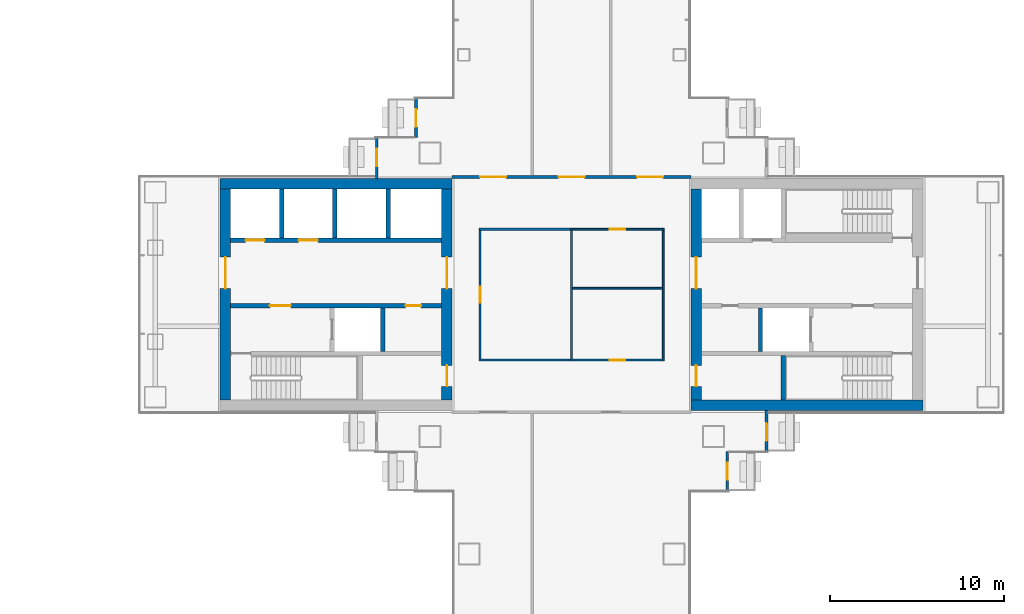
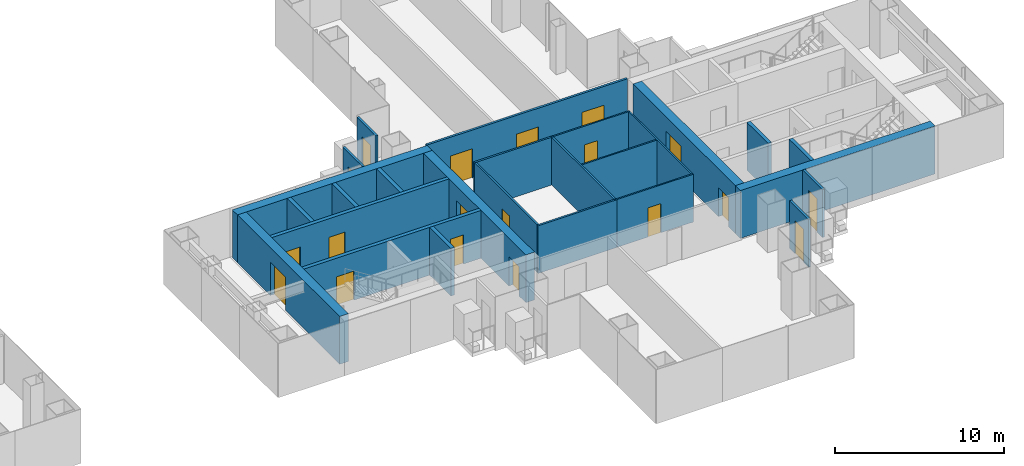
# One storey, part 15 of 20: 26 walls, 19 doors, 19 openings.
"""IFC4 building model written with IfcOpenShell, lengths in metres."""

from ifc_helpers import new_model, si_unit, direction, frame, frame_2d, origin, place, context, subcontext, project, spatial, rectangle, extrude, material, layer, layer_set, type_object, element, fill, save


model = new_model("IFC4")

# Units and contexts
model_context = context("Model", 3, precision=1e-05, world=origin(), true_north=direction((0.0, 1.0)))
body_context = subcontext(model_context, "Body", "Model", "MODEL_VIEW")
ifc_project = project(units=[si_unit("LENGTHUNIT", "METRE"), si_unit("AREAUNIT", "SQUARE_METRE"), si_unit("VOLUMEUNIT", "CUBIC_METRE"), si_unit("PLANEANGLEUNIT", "RADIAN"), si_unit("MASSUNIT", "GRAM", prefix="KILO")], contexts=[model_context])

# Site, building, storey
site_placement = place(None, origin())
site = spatial("IfcSite", under=ifc_project, at=site_placement, CompositionType="ELEMENT")
building_placement = place(site_placement, origin())
building = spatial("IfcBuilding", under=site, at=building_placement, Name="Shamsa Quay Exchange Towers", CompositionType="ELEMENT")
storey_placement = place(building_placement, frame((0.0, 0.0, 124.800048828125)))
storey = spatial("IfcBuildingStorey", under=building, at=storey_placement, Name="L29", CompositionType="ELEMENT", Elevation=124.800048828125)

# Wall, opening, door
ifc_material_1 = material(Name="Aluminium EN AW-6063 T6, black anodised, with black enamelled glass infill", Category="aluminium")
ifc_layer_1 = layer(ifc_material_1, 0.14990234375)
ifc_layer_set_1 = layer_set([ifc_layer_1], Name="BALCONY DOOR BAY WALL 150")
wall_type_1 = type_object("IfcWallType", Name="BALCONY DOOR BAY WALL 150", PredefinedType="SOLIDWALL", material=ifc_layer_set_1)
wall_1_placement = place(storey_placement, frame((24.824951171875, 9.0, 0.0), z_axis=(0.0, 0.0, 1.0), x_axis=(0.0, 1.0, 0.0)))
wall_1 = element("IfcWall", 1, at=wall_1_placement, inside=storey, type_object=wall_type_1, Name="Door bay T2-PKEN L29", PredefinedType="SOLIDWALL", context=body_context, shape_type="SweptSolid", body=[
    extrude(rectangle(XDim=2.25, YDim=0.14990234375, at=frame_2d((1.125, 0.0))), origin(), (0.0, 0.0, 1.0), 3.449951171875),
])
opening_1_placement = place(wall_1_placement, frame((0.625, 0.0, 0.0)))
opening_1 = element("IfcOpeningElement", 2, at=opening_1_placement, cuts=wall_1, Name="Opening XD193", PredefinedType="OPENING", context=body_context, shape_type="SweptSolid", body=[
    extrude(rectangle(XDim=1.0, YDim=2.39990234375, at=frame_2d((0.5, 1.199951171875))), frame((0.0, 0.0849609375, 0.0), z_axis=(0.0, -1.0, 0.0), x_axis=(1.0, 0.0, 0.0)), (0.0, 0.0, 1.0), 0.169921875),
])
ifc_material_2 = material(Name="Aluminium EN AW-6063 T6, black anodised, with laminated glass leaf", Category="aluminium")
door_type_1 = type_object("IfcDoorType", Name="BALCONY DOOR 1000x2400", OperationType="SINGLE_SWING_LEFT", PredefinedType="DOOR", material=ifc_material_2)
door_1_placement = place(opening_1_placement, origin())
door_1 = element("IfcDoor", 3, at=door_1_placement, inside=storey, type_object=door_type_1, Name="Balcony door T2-PKEN L29", OperationType="SINGLE_SWING_RIGHT", OverallHeight=2.39990234375, OverallWidth=1.0, PredefinedType="DOOR", context=body_context, shape_type="SweptSolid", body=[
    extrude(rectangle(XDim=1.0, YDim=2.39990234375, at=frame_2d((0.5, 1.199951171875))), frame((0.0, 0.02490234375, 0.0), z_axis=(0.0, -1.0, 0.0), x_axis=(1.0, 0.0, 0.0)), (0.0, 0.0, 1.0), 0.050048828125),
])
fill(opening_1, door_1)

wall_2_placement = place(storey_placement, frame((22.574951171875, 6.64306640625, 0.0), z_axis=(0.0, 0.0, 1.0), x_axis=(0.0, 1.0, 0.0)))
wall_2 = element("IfcWall", 4, at=wall_2_placement, inside=storey, type_object=wall_type_1, Name="Door bay T2-PKEN L29", PredefinedType="SOLIDWALL", context=body_context, shape_type="SweptSolid", body=[
    extrude(rectangle(XDim=2.35693359375, YDim=0.14990234375, at=frame_2d((1.178466796875, 0.0))), origin(), (0.0, 0.0, 1.0), 3.449951171875),
])
opening_2_placement = place(wall_2_placement, frame((0.73193359375, 0.0, 0.0)))
opening_2 = element("IfcOpeningElement", 5, at=opening_2_placement, cuts=wall_2, Name="Opening XD194", PredefinedType="OPENING", context=body_context, shape_type="SweptSolid", body=[
    extrude(rectangle(XDim=1.0, YDim=2.39990234375, at=frame_2d((0.5, 1.199951171875))), frame((0.0, 0.0849609375, 0.0), z_axis=(0.0, -1.0, 0.0), x_axis=(1.0, 0.0, 0.0)), (0.0, 0.0, 1.0), 0.169921875),
])
door_2_placement = place(opening_2_placement, origin())
door_2 = element("IfcDoor", 6, at=door_2_placement, inside=storey, type_object=door_type_1, Name="Balcony door T2-PKEN L29", OperationType="SINGLE_SWING_LEFT", OverallHeight=2.39990234375, OverallWidth=1.0, PredefinedType="DOOR", context=body_context, shape_type="SweptSolid", body=[
    extrude(rectangle(XDim=1.0, YDim=2.39990234375, at=frame_2d((0.5, 1.199951171875))), frame((0.0, 0.02490234375, 0.0), z_axis=(0.0, -1.0, 0.0), x_axis=(1.0, 0.0, 0.0)), (0.0, 0.0, 1.0), 0.050048828125),
])
fill(opening_2, door_2)

wall_3_placement = place(storey_placement, frame((42.675048828125, -9.0, 0.0), z_axis=(0.0, 0.0, 1.0), x_axis=(0.0, -1.0, 0.0)))
wall_3 = element("IfcWall", 7, at=wall_3_placement, inside=storey, type_object=wall_type_1, Name="Door bay T2-PKWS L29", PredefinedType="SOLIDWALL", context=body_context, shape_type="SweptSolid", body=[
    extrude(rectangle(XDim=2.25, YDim=0.14990234375, at=frame_2d((1.125, 0.0))), origin(), (0.0, 0.0, 1.0), 3.449951171875),
])
opening_3_placement = place(wall_3_placement, frame((0.625, 0.0, 0.0)))
opening_3 = element("IfcOpeningElement", 8, at=opening_3_placement, cuts=wall_3, Name="Opening XD199", PredefinedType="OPENING", context=body_context, shape_type="SweptSolid", body=[
    extrude(rectangle(XDim=1.0, YDim=2.39990234375, at=frame_2d((0.5, 1.199951171875))), frame((0.0, 0.0849609375, 0.0), z_axis=(0.0, -1.0, 0.0), x_axis=(1.0, 0.0, 0.0)), (0.0, 0.0, 1.0), 0.169921875),
])
door_3_placement = place(opening_3_placement, origin())
door_3 = element("IfcDoor", 9, at=door_3_placement, inside=storey, type_object=door_type_1, Name="Balcony door T2-PKWS L29", OperationType="SINGLE_SWING_LEFT", OverallHeight=2.39990234375, OverallWidth=1.0, PredefinedType="DOOR", context=body_context, shape_type="SweptSolid", body=[
    extrude(rectangle(XDim=1.0, YDim=2.39990234375, at=frame_2d((0.5, 1.199951171875))), frame((0.0, 0.02490234375, 0.0), z_axis=(0.0, -1.0, 0.0), x_axis=(1.0, 0.0, 0.0)), (0.0, 0.0, 1.0), 0.050048828125),
])
fill(opening_3, door_3)

wall_4_placement = place(storey_placement, frame((44.925048828125, -6.64306640625, 0.0), z_axis=(0.0, 0.0, 1.0), x_axis=(0.0, -1.0, 0.0)))
wall_4 = element("IfcWall", 10, at=wall_4_placement, inside=storey, type_object=wall_type_1, Name="Door bay T2-PKWS L29", PredefinedType="SOLIDWALL", context=body_context, shape_type="SweptSolid", body=[
    extrude(rectangle(XDim=2.35693359375, YDim=0.14990234375, at=frame_2d((1.178466796875, 0.0))), origin(), (0.0, 0.0, 1.0), 3.449951171875),
])
opening_4_placement = place(wall_4_placement, frame((0.73193359375, 0.0, 0.0)))
opening_4 = element("IfcOpeningElement", 11, at=opening_4_placement, cuts=wall_4, Name="Opening XD200", PredefinedType="OPENING", context=body_context, shape_type="SweptSolid", body=[
    extrude(rectangle(XDim=1.0, YDim=2.39990234375, at=frame_2d((0.5, 1.199951171875))), frame((0.0, 0.0849609375, 0.0), z_axis=(0.0, -1.0, 0.0), x_axis=(1.0, 0.0, 0.0)), (0.0, 0.0, 1.0), 0.169921875),
])
door_4_placement = place(opening_4_placement, origin())
door_4 = element("IfcDoor", 12, at=door_4_placement, inside=storey, type_object=door_type_1, Name="Balcony door T2-PKWS L29", OperationType="SINGLE_SWING_RIGHT", OverallHeight=2.39990234375, OverallWidth=1.0, PredefinedType="DOOR", context=body_context, shape_type="SweptSolid", body=[
    extrude(rectangle(XDim=1.0, YDim=2.39990234375, at=frame_2d((0.5, 1.199951171875))), frame((0.0, 0.02490234375, 0.0), z_axis=(0.0, -1.0, 0.0), x_axis=(1.0, 0.0, 0.0)), (0.0, 0.0, 1.0), 0.050048828125),
])
fill(opening_4, door_4)

# Wall
ifc_material_3 = material(Name="Concrete C70/85", Category="concrete")
ifc_layer_2 = layer(ifc_material_3, 0.60009765625)
ifc_layer_set_2 = layer_set([ifc_layer_2], Name="CORE WALL 600 C70/85")
wall_type_2 = type_object("IfcWallType", Name="CORE WALL 600 C70/85", PredefinedType="SHEAR", material=ifc_layer_set_2)
wall_5_placement = place(storey_placement, frame((13.60009765625, 6.35009765625, 0.0)))
element("IfcWall", 13, at=wall_5_placement, inside=storey, type_object=wall_type_2, Name="Core wall T2A-R13-PN", PredefinedType="SHEAR", context=body_context, shape_type="SweptSolid", body=[
    extrude(rectangle(XDim=13.2998046875, YDim=0.60009765625, at=frame_2d((6.64990234375, 0.0))), origin(), (0.0, 0.0, 1.0), 3.449951171875),
])

# Wall, opening, door
wall_6_placement = place(storey_placement, frame((13.89990234375, 6.050048828125, 0.0), z_axis=(0.0, 0.0, 1.0), x_axis=(0.0, -1.0, 0.0)))
wall_6 = element("IfcWall", 14, at=wall_6_placement, inside=storey, type_object=wall_type_2, Name="Core wall T2A-R13-PF", PredefinedType="SHEAR", context=body_context, shape_type="SweptSolid", body=[
    extrude(rectangle(XDim=12.10009765625, YDim=0.60009765625, at=frame_2d((6.050048828125, 0.0))), origin(), (0.0, 0.0, 1.0), 3.449951171875),
])
opening_5_placement = place(wall_6_placement, frame((3.89990234375, 0.0, 0.0)))
opening_5 = element("IfcOpeningElement", 15, at=opening_5_placement, cuts=wall_6, Name="Opening T2A-R13-LBD01", PredefinedType="OPENING", context=body_context, shape_type="SweptSolid", body=[
    extrude(rectangle(XDim=1.800048828125, YDim=2.39990234375, at=frame_2d((0.89990234375, 1.199951171875))), frame((0.0, 0.31005859375, 0.0), z_axis=(0.0, -1.0, 0.0), x_axis=(1.0, 0.0, 0.0)), (0.0, 0.0, 1.0), 0.6201171875),
])
ifc_material_4 = material(Name="Steel, fire rated", Category="steel")
door_type_2 = type_object("IfcDoorType", Name="LIFT LOBBY DOOR PAIR 1800", OperationType="DOUBLE_DOOR_SINGLE_SWING", PredefinedType="DOOR", material=ifc_material_4)
door_5_placement = place(opening_5_placement, origin())
door_5 = element("IfcDoor", 16, at=door_5_placement, inside=storey, type_object=door_type_2, Name="T2A-R13-LBD01", OperationType="DOUBLE_DOOR_SINGLE_SWING", OverallHeight=2.39990234375, OverallWidth=1.800048828125, PredefinedType="DOOR", context=body_context, shape_type="SweptSolid", body=[
    extrude(rectangle(XDim=1.800048828125, YDim=2.39990234375, at=frame_2d((0.89990234375, 1.199951171875))), frame((0.0, 0.02490234375, 0.0), z_axis=(0.0, -1.0, 0.0), x_axis=(1.0, 0.0, 0.0)), (0.0, 0.0, 1.0), 0.050048828125),
])
fill(opening_5, door_5)

# Wall, openings, doors
wall_7_placement = place(storey_placement, frame((26.60009765625, 6.050048828125, 0.0), z_axis=(0.0, 0.0, 1.0), x_axis=(0.0, -1.0, 0.0)))
wall_7 = element("IfcWall", 17, at=wall_7_placement, inside=storey, type_object=wall_type_2, Name="Core wall T2A-R13-PB", PredefinedType="SHEAR", context=body_context, shape_type="SweptSolid", body=[
    extrude(rectangle(XDim=12.10009765625, YDim=0.60009765625, at=frame_2d((6.050048828125, 0.0))), origin(), (0.0, 0.0, 1.0), 3.449951171875),
])
opening_6_placement = place(wall_7_placement, frame((10.10009765625, 0.0, 0.0)))
opening_6 = element("IfcOpeningElement", 18, at=opening_6_placement, cuts=wall_7, Name="Opening T2A-R13-RD02", PredefinedType="OPENING", context=body_context, shape_type="SweptSolid", body=[
    extrude(rectangle(XDim=1.199951171875, YDim=2.10009765625, at=frame_2d((0.60009765625, 1.050048828125))), frame((0.0, 0.31005859375, 0.0), z_axis=(0.0, -1.0, 0.0), x_axis=(1.0, 0.0, 0.0)), (0.0, 0.0, 1.0), 0.6201171875),
])
opening_7_placement = place(wall_7_placement, frame((3.89990234375, 0.0, 0.0)))
opening_7 = element("IfcOpeningElement", 19, at=opening_7_placement, cuts=wall_7, Name="Opening T2A-R13-LBD03", PredefinedType="OPENING", context=body_context, shape_type="SweptSolid", body=[
    extrude(rectangle(XDim=1.800048828125, YDim=2.39990234375, at=frame_2d((0.89990234375, 1.199951171875))), frame((0.0, 0.31005859375, 0.0), z_axis=(0.0, -1.0, 0.0), x_axis=(1.0, 0.0, 0.0)), (0.0, 0.0, 1.0), 0.6201171875),
])
door_6_placement = place(opening_7_placement, origin())
door_6 = element("IfcDoor", 20, at=door_6_placement, inside=storey, type_object=door_type_2, Name="T2A-R13-LBD03", OperationType="DOUBLE_DOOR_SINGLE_SWING", OverallHeight=2.39990234375, OverallWidth=1.800048828125, PredefinedType="DOOR", context=body_context, shape_type="SweptSolid", body=[
    extrude(rectangle(XDim=1.800048828125, YDim=2.39990234375, at=frame_2d((0.89990234375, 1.199951171875))), frame((0.0, 0.02490234375, 0.0), z_axis=(0.0, -1.0, 0.0), x_axis=(1.0, 0.0, 0.0)), (0.0, 0.0, 1.0), 0.050048828125),
])
fill(opening_7, door_6)
door_type_3 = type_object("IfcDoorType", Name="RISER ACCESS DOOR 1200", OperationType="SINGLE_SWING_LEFT", PredefinedType="DOOR", material=ifc_material_4)
door_7_placement = place(opening_6_placement, origin())
door_7 = element("IfcDoor", 21, at=door_7_placement, inside=storey, type_object=door_type_3, Name="T2A-R13-RD02", OperationType="SINGLE_SWING_RIGHT", OverallHeight=2.10009765625, OverallWidth=1.199951171875, PredefinedType="DOOR", context=body_context, shape_type="SweptSolid", body=[
    extrude(rectangle(XDim=1.199951171875, YDim=2.10009765625, at=frame_2d((0.60009765625, 1.050048828125))), frame((0.0, 0.02490234375, 0.0), z_axis=(0.0, -1.0, 0.0), x_axis=(1.0, 0.0, 0.0)), (0.0, 0.0, 1.0), 0.050048828125),
])
fill(opening_6, door_7)

# Wall
wall_8_placement = place(storey_placement, frame((53.89990234375, -6.35009765625, 0.0), z_axis=(0.0, 0.0, 1.0), x_axis=(-1.0, 0.0, 0.0)))
element("IfcWall", 22, at=wall_8_placement, inside=storey, type_object=wall_type_2, Name="Core wall T2B-R13-PS", PredefinedType="SHEAR", context=body_context, shape_type="SweptSolid", body=[
    extrude(rectangle(XDim=13.2998046875, YDim=0.60009765625, at=frame_2d((6.64990234375, 0.0))), origin(), (0.0, 0.0, 1.0), 3.449951171875),
])

# Wall, openings, doors
wall_9_placement = place(storey_placement, frame((40.89990234375, -6.050048828125, 0.0), z_axis=(0.0, 0.0, 1.0), x_axis=(0.0, 1.0, 0.0)))
wall_9 = element("IfcWall", 23, at=wall_9_placement, inside=storey, type_object=wall_type_2, Name="Core wall T2B-R13-PB", PredefinedType="SHEAR", context=body_context, shape_type="SweptSolid", body=[
    extrude(rectangle(XDim=12.10009765625, YDim=0.60009765625, at=frame_2d((6.050048828125, 0.0))), origin(), (0.0, 0.0, 1.0), 3.449951171875),
])
opening_8_placement = place(wall_9_placement, frame((0.800048828125, 0.0, 0.0)))
opening_8 = element("IfcOpeningElement", 24, at=opening_8_placement, cuts=wall_9, Name="Opening T2B-R13-RD02", PredefinedType="OPENING", context=body_context, shape_type="SweptSolid", body=[
    extrude(rectangle(XDim=1.199951171875, YDim=2.10009765625, at=frame_2d((0.60009765625, 1.050048828125))), frame((0.0, 0.31005859375, 0.0), z_axis=(0.0, -1.0, 0.0), x_axis=(1.0, 0.0, 0.0)), (0.0, 0.0, 1.0), 0.6201171875),
])
opening_9_placement = place(wall_9_placement, frame((6.39990234375, 0.0, 0.0)))
opening_9 = element("IfcOpeningElement", 25, at=opening_9_placement, cuts=wall_9, Name="Opening T2B-R13-LBD03", PredefinedType="OPENING", context=body_context, shape_type="SweptSolid", body=[
    extrude(rectangle(XDim=1.800048828125, YDim=2.39990234375, at=frame_2d((0.89990234375, 1.199951171875))), frame((0.0, 0.31005859375, 0.0), z_axis=(0.0, -1.0, 0.0), x_axis=(1.0, 0.0, 0.0)), (0.0, 0.0, 1.0), 0.6201171875),
])
door_8_placement = place(opening_9_placement, origin())
door_8 = element("IfcDoor", 26, at=door_8_placement, inside=storey, type_object=door_type_2, Name="T2B-R13-LBD03", OperationType="DOUBLE_DOOR_SINGLE_SWING", OverallHeight=2.39990234375, OverallWidth=1.800048828125, PredefinedType="DOOR", context=body_context, shape_type="SweptSolid", body=[
    extrude(rectangle(XDim=1.800048828125, YDim=2.39990234375, at=frame_2d((0.89990234375, 1.199951171875))), frame((0.0, 0.02490234375, 0.0), z_axis=(0.0, -1.0, 0.0), x_axis=(1.0, 0.0, 0.0)), (0.0, 0.0, 1.0), 0.050048828125),
])
fill(opening_9, door_8)
door_9_placement = place(opening_8_placement, origin())
door_9 = element("IfcDoor", 27, at=door_9_placement, inside=storey, type_object=door_type_3, Name="T2B-R13-RD02", OperationType="SINGLE_SWING_LEFT", OverallHeight=2.10009765625, OverallWidth=1.199951171875, PredefinedType="DOOR", context=body_context, shape_type="SweptSolid", body=[
    extrude(rectangle(XDim=1.199951171875, YDim=2.10009765625, at=frame_2d((0.60009765625, 1.050048828125))), frame((0.0, 0.02490234375, 0.0), z_axis=(0.0, -1.0, 0.0), x_axis=(1.0, 0.0, 0.0)), (0.0, 0.0, 1.0), 0.050048828125),
])
fill(opening_8, door_9)

# Wall
ifc_material_5 = material(Name="Laminated fire-resisting glass in a metal frame", Category="glass")
ifc_layer_3 = layer(ifc_material_5, 0.125)
ifc_layer_set_3 = layer_set([ifc_layer_3], Name="Glazed partition 125 mm EI 60")
wall_type_3 = type_object("IfcWallType", Name="Glazed partition 125 mm EI 60", PredefinedType="PARTITIONING", material=ifc_layer_set_3)
wall_10_placement = place(storey_placement, frame((28.4375, -3.75, 0.0)))
element("IfcWall", 28, at=wall_10_placement, inside=storey, type_object=wall_type_3, Name="Partition T2-R13-W04", PredefinedType="PARTITIONING", context=body_context, shape_type="SweptSolid", body=[
    extrude(rectangle(XDim=5.375, YDim=0.125, at=frame_2d((2.6875, 0.0))), origin(), (0.0, 0.0, 1.0), 3.449951171875),
])

# Wall, opening, door
wall_11_placement = place(storey_placement, frame((28.5, 3.6875, 0.0), z_axis=(0.0, 0.0, 1.0), x_axis=(0.0, -1.0, 0.0)))
wall_11 = element("IfcWall", 29, at=wall_11_placement, inside=storey, type_object=wall_type_3, Name="Partition T2-R13-W05", PredefinedType="PARTITIONING", context=body_context, shape_type="SweptSolid", body=[
    extrude(rectangle(XDim=7.375, YDim=0.125, at=frame_2d((3.6875, 0.0))), origin(), (0.0, 0.0, 1.0), 3.449951171875),
])
opening_10_placement = place(wall_11_placement, frame((3.237548828125, 0.0, 0.0)))
opening_10 = element("IfcOpeningElement", 30, at=opening_10_placement, cuts=wall_11, Name="Opening T2-R13-D06", PredefinedType="OPENING", context=body_context, shape_type="SweptSolid", body=[
    extrude(rectangle(XDim=0.89990234375, YDim=2.10009765625, at=frame_2d((0.449951171875, 1.050048828125))), frame((0.0, 0.072509765625, 0.0), z_axis=(0.0, -1.0, 0.0), x_axis=(1.0, 0.0, 0.0)), (0.0, 0.0, 1.0), 0.14501953125),
])
ifc_material_6 = material(Name="Timber door leaf in a metal frame", Category="wood")
door_type_4 = type_object("IfcDoorType", Name="Door 900x2100 FD30S", OperationType="NOTDEFINED", PredefinedType="DOOR", material=ifc_material_6)
door_10_placement = place(opening_10_placement, origin())
door_10 = element("IfcDoor", 31, at=door_10_placement, inside=storey, type_object=door_type_4, Name="Door T2-R13-D06", OperationType="SINGLE_SWING_RIGHT", OverallHeight=2.10009765625, OverallWidth=0.89990234375, PredefinedType="DOOR", context=body_context, shape_type="SweptSolid", body=[
    extrude(rectangle(XDim=0.89990234375, YDim=2.10009765625, at=frame_2d((0.449951171875, 1.050048828125))), frame((0.0, 0.02490234375, 0.0), z_axis=(0.0, -1.0, 0.0), x_axis=(1.0, 0.0, 0.0)), (0.0, 0.0, 1.0), 0.050048828125),
])
fill(opening_10, door_10)

# Walls
wall_12_placement = place(storey_placement, frame((33.8125, 3.75, 0.0), z_axis=(0.0, 0.0, 1.0), x_axis=(-1.0, 0.0, 0.0)))
element("IfcWall", 32, at=wall_12_placement, inside=storey, type_object=wall_type_3, Name="Partition T2-R13-W06", PredefinedType="PARTITIONING", context=body_context, shape_type="SweptSolid", body=[
    extrude(rectangle(XDim=5.375, YDim=0.125, at=frame_2d((2.6875, 0.0))), origin(), (0.0, 0.0, 1.0), 3.449951171875),
])
wall_13_placement = place(storey_placement, frame((33.75, 3.6875, 0.0), z_axis=(0.0, 0.0, 1.0), x_axis=(0.0, -1.0, 0.0)))
element("IfcWall", 33, at=wall_13_placement, inside=storey, type_object=wall_type_3, Name="Partition T2-R13-W10", PredefinedType="PARTITIONING", context=body_context, shape_type="SweptSolid", body=[
    extrude(rectangle(XDim=7.375, YDim=0.125, at=frame_2d((3.6875, 0.0))), origin(), (0.0, 0.0, 1.0), 3.449951171875),
])
ifc_material_7 = material(Name="Gypsum board partition on metal studs")
ifc_layer_4 = layer(ifc_material_7, 0.10009765625)
ifc_layer_set_4 = layer_set([ifc_layer_4], Name="Partition 100 mm NOT RATED")
wall_type_4 = type_object("IfcWallType", Name="Partition 100 mm NOT RATED", PredefinedType="PARTITIONING", material=ifc_layer_set_4)
wall_14_placement = place(storey_placement, frame((39.0, -3.699951171875, 0.0), z_axis=(0.0, 0.0, 1.0), x_axis=(0.0, 1.0, 0.0)))
element("IfcWall", 34, at=wall_14_placement, inside=storey, type_object=wall_type_4, Name="Partition T2-R13-W01", PredefinedType="PARTITIONING", context=body_context, shape_type="SweptSolid", body=[
    extrude(rectangle(XDim=7.39990234375, YDim=0.10009765625, at=frame_2d((3.699951171875, 0.0))), origin(), (0.0, 0.0, 1.0), 3.449951171875),
])

# Wall, opening, door
wall_15_placement = place(storey_placement, frame((33.6875, -3.75, 0.0)))
wall_15 = element("IfcWall", 35, at=wall_15_placement, inside=storey, type_object=wall_type_4, Name="Partition T2-R13-W02", PredefinedType="PARTITIONING", context=body_context, shape_type="SweptSolid", body=[
    extrude(rectangle(XDim=5.362548828125, YDim=0.10009765625, at=frame_2d((2.68115234375, 0.0))), origin(), (0.0, 0.0, 1.0), 3.449951171875),
])
opening_11_placement = place(wall_15_placement, frame((2.237548828125, 0.0, 0.0)))
opening_11 = element("IfcOpeningElement", 36, at=opening_11_placement, cuts=wall_15, Name="Opening T2-R13-D04", PredefinedType="OPENING", context=body_context, shape_type="SweptSolid", body=[
    extrude(rectangle(XDim=0.89990234375, YDim=2.10009765625, at=frame_2d((0.449951171875, 1.050048828125))), frame((0.0, 0.06005859375, 0.0), z_axis=(0.0, -1.0, 0.0), x_axis=(1.0, 0.0, 0.0)), (0.0, 0.0, 1.0), 0.1201171875),
])
door_type_5 = type_object("IfcDoorType", Name="Door 900x2100 NOT RATED", OperationType="NOTDEFINED", PredefinedType="DOOR", material=ifc_material_6)
door_11_placement = place(opening_11_placement, origin())
door_11 = element("IfcDoor", 37, at=door_11_placement, inside=storey, type_object=door_type_5, Name="Door T2-R13-D04", OperationType="SINGLE_SWING_RIGHT", OverallHeight=2.10009765625, OverallWidth=0.89990234375, PredefinedType="DOOR", context=body_context, shape_type="SweptSolid", body=[
    extrude(rectangle(XDim=0.89990234375, YDim=2.10009765625, at=frame_2d((0.449951171875, 1.050048828125))), frame((0.0, 0.02490234375, 0.0), z_axis=(0.0, -1.0, 0.0), x_axis=(1.0, 0.0, 0.0)), (0.0, 0.0, 1.0), 0.050048828125),
])
fill(opening_11, door_11)

wall_16_placement = place(storey_placement, frame((39.050048828125, 3.75, 0.0), z_axis=(0.0, 0.0, 1.0), x_axis=(-1.0, 0.0, 0.0)))
wall_16 = element("IfcWall", 38, at=wall_16_placement, inside=storey, type_object=wall_type_4, Name="Partition T2-R13-W03", PredefinedType="PARTITIONING", context=body_context, shape_type="SweptSolid", body=[
    extrude(rectangle(XDim=5.362548828125, YDim=0.10009765625, at=frame_2d((2.68115234375, 0.0))), origin(), (0.0, 0.0, 1.0), 3.449951171875),
])
opening_12_placement = place(wall_16_placement, frame((2.22509765625, 0.0, 0.0)))
opening_12 = element("IfcOpeningElement", 39, at=opening_12_placement, cuts=wall_16, Name="Opening T2-R13-D05", PredefinedType="OPENING", context=body_context, shape_type="SweptSolid", body=[
    extrude(rectangle(XDim=0.89990234375, YDim=2.10009765625, at=frame_2d((0.449951171875, 1.050048828125))), frame((0.0, 0.06005859375, 0.0), z_axis=(0.0, -1.0, 0.0), x_axis=(1.0, 0.0, 0.0)), (0.0, 0.0, 1.0), 0.1201171875),
])
door_12_placement = place(opening_12_placement, origin())
door_12 = element("IfcDoor", 40, at=door_12_placement, inside=storey, type_object=door_type_5, Name="Door T2-R13-D05", OperationType="SINGLE_SWING_LEFT", OverallHeight=2.10009765625, OverallWidth=0.89990234375, PredefinedType="DOOR", context=body_context, shape_type="SweptSolid", body=[
    extrude(rectangle(XDim=0.89990234375, YDim=2.10009765625, at=frame_2d((0.449951171875, 1.050048828125))), frame((0.0, 0.02490234375, 0.0), z_axis=(0.0, -1.0, 0.0), x_axis=(1.0, 0.0, 0.0)), (0.0, 0.0, 1.0), 0.050048828125),
])
fill(opening_12, door_12)

# Wall
wall_17_placement = place(storey_placement, frame((38.949951171875, 0.375, 0.0), z_axis=(0.0, 0.0, 1.0), x_axis=(-1.0, 0.0, 0.0)))
element("IfcWall", 41, at=wall_17_placement, inside=storey, type_object=wall_type_4, Name="Partition T2-R13-W09", PredefinedType="PARTITIONING", context=body_context, shape_type="SweptSolid", body=[
    extrude(rectangle(XDim=5.137451171875, YDim=0.10009765625, at=frame_2d((2.56884765625, 0.0))), origin(), (0.0, 0.0, 1.0), 3.449951171875),
])

# Wall, openings, doors
ifc_layer_5 = layer(ifc_material_7, 0.14990234375)
ifc_layer_set_5 = layer_set([ifc_layer_5], Name="Partition 150 mm EI 60")
wall_type_5 = type_object("IfcWallType", Name="Partition 150 mm EI 60", PredefinedType="PARTITIONING", material=ifc_layer_set_5)
wall_18_placement = place(storey_placement, frame((26.89990234375, 6.75, 0.0)))
wall_18 = element("IfcWall", 42, at=wall_18_placement, inside=storey, type_object=wall_type_5, Name="Partition T2-R13-W07", PredefinedType="PARTITIONING", context=body_context, shape_type="SweptSolid", body=[
    extrude(rectangle(XDim=13.7001953125, YDim=0.14990234375, at=frame_2d((6.85009765625, 0.0))), origin(), (0.0, 0.0, 1.0), 3.449951171875),
])
opening_13_placement = place(wall_18_placement, frame((10.60009765625, 0.0, 0.0)))
opening_13 = element("IfcOpeningElement", 43, at=opening_13_placement, cuts=wall_18, Name="Opening T2-R13-D01", PredefinedType="OPENING", context=body_context, shape_type="SweptSolid", body=[
    extrude(rectangle(XDim=1.5, YDim=2.10009765625, at=frame_2d((0.75, 1.050048828125))), frame((0.0, 0.0849609375, 0.0), z_axis=(0.0, -1.0, 0.0), x_axis=(1.0, 0.0, 0.0)), (0.0, 0.0, 1.0), 0.169921875),
])
opening_14_placement = place(wall_18_placement, frame((6.10009765625, 0.0, 0.0)))
opening_14 = element("IfcOpeningElement", 44, at=opening_14_placement, cuts=wall_18, Name="Opening T2-R13-D02", PredefinedType="OPENING", context=body_context, shape_type="SweptSolid", body=[
    extrude(rectangle(XDim=1.5, YDim=2.10009765625, at=frame_2d((0.75, 1.050048828125))), frame((0.0, 0.0849609375, 0.0), z_axis=(0.0, -1.0, 0.0), x_axis=(1.0, 0.0, 0.0)), (0.0, 0.0, 1.0), 0.169921875),
])
opening_15_placement = place(wall_18_placement, frame((1.60009765625, 0.0, 0.0)))
opening_15 = element("IfcOpeningElement", 45, at=opening_15_placement, cuts=wall_18, Name="Opening T2-R13-D03", PredefinedType="OPENING", context=body_context, shape_type="SweptSolid", body=[
    extrude(rectangle(XDim=1.5, YDim=2.10009765625, at=frame_2d((0.75, 1.050048828125))), frame((0.0, 0.0849609375, 0.0), z_axis=(0.0, -1.0, 0.0), x_axis=(1.0, 0.0, 0.0)), (0.0, 0.0, 1.0), 0.169921875),
])
door_type_6 = type_object("IfcDoorType", Name="Door 1500x2100 FD30S pair", OperationType="NOTDEFINED", PredefinedType="DOOR", material=ifc_material_6)
door_13_placement = place(opening_13_placement, origin())
door_13 = element("IfcDoor", 46, at=door_13_placement, inside=storey, type_object=door_type_6, Name="Door T2-R13-D01", OperationType="DOUBLE_DOOR_SINGLE_SWING", OverallHeight=2.10009765625, OverallWidth=1.5, PredefinedType="DOOR", context=body_context, shape_type="SweptSolid", body=[
    extrude(rectangle(XDim=1.5, YDim=2.10009765625, at=frame_2d((0.75, 1.050048828125))), frame((0.0, 0.02490234375, 0.0), z_axis=(0.0, -1.0, 0.0), x_axis=(1.0, 0.0, 0.0)), (0.0, 0.0, 1.0), 0.050048828125),
])
fill(opening_13, door_13)
door_14_placement = place(opening_14_placement, origin())
door_14 = element("IfcDoor", 47, at=door_14_placement, inside=storey, type_object=door_type_6, Name="Door T2-R13-D02", OperationType="DOUBLE_DOOR_SINGLE_SWING", OverallHeight=2.10009765625, OverallWidth=1.5, PredefinedType="DOOR", context=body_context, shape_type="SweptSolid", body=[
    extrude(rectangle(XDim=1.5, YDim=2.10009765625, at=frame_2d((0.75, 1.050048828125))), frame((0.0, 0.02490234375, 0.0), z_axis=(0.0, -1.0, 0.0), x_axis=(1.0, 0.0, 0.0)), (0.0, 0.0, 1.0), 0.050048828125),
])
fill(opening_14, door_14)
door_15_placement = place(opening_15_placement, origin())
door_15 = element("IfcDoor", 48, at=door_15_placement, inside=storey, type_object=door_type_6, Name="Door T2-R13-D03", OperationType="DOUBLE_DOOR_SINGLE_SWING", OverallHeight=2.10009765625, OverallWidth=1.5, PredefinedType="DOOR", context=body_context, shape_type="SweptSolid", body=[
    extrude(rectangle(XDim=1.5, YDim=2.10009765625, at=frame_2d((0.75, 1.050048828125))), frame((0.0, 0.02490234375, 0.0), z_axis=(0.0, -1.0, 0.0), x_axis=(1.0, 0.0, 0.0)), (0.0, 0.0, 1.0), 0.050048828125),
])
fill(opening_15, door_15)

ifc_material_8 = material(Name="Concrete C50/60", Category="concrete")
ifc_layer_6 = layer(ifc_material_8, 0.25)
ifc_layer_set_6 = layer_set([ifc_layer_6], Name="SHAFT WALL 250 C50/60")
wall_type_6 = type_object("IfcWallType", Name="SHAFT WALL 250 C50/60", PredefinedType="SHEAR", material=ifc_layer_set_6)
wall_19_placement = place(storey_placement, frame((26.300048828125, -0.625, 0.0), z_axis=(0.0, 0.0, 1.0), x_axis=(-1.0, 0.0, 0.0)))
wall_19 = element("IfcWall", 49, at=wall_19_placement, inside=storey, type_object=wall_type_6, Name="Shaft wall T2A-R13-B", PredefinedType="SHEAR", context=body_context, shape_type="SweptSolid", body=[
    extrude(rectangle(XDim=12.10009765625, YDim=0.25, at=frame_2d((6.050048828125, 0.0))), origin(), (0.0, 0.0, 1.0), 3.449951171875),
])
opening_16_placement = place(wall_19_placement, frame((8.64990234375, 0.0, 0.0)))
opening_16 = element("IfcOpeningElement", 50, at=opening_16_placement, cuts=wall_19, Name="Opening T2A-R13-FD05", PredefinedType="OPENING", context=body_context, shape_type="SweptSolid", body=[
    extrude(rectangle(XDim=1.199951171875, YDim=2.10009765625, at=frame_2d((0.60009765625, 1.050048828125))), frame((0.0, 0.135009765625, 0.0), z_axis=(0.0, -1.0, 0.0), x_axis=(1.0, 0.0, 0.0)), (0.0, 0.0, 1.0), 0.27001953125),
])
opening_17_placement = place(wall_19_placement, frame((1.175048828125, 0.0, 0.0)))
opening_17 = element("IfcOpeningElement", 51, at=opening_17_placement, cuts=wall_19, Name="Opening T2A-R13-SV06", PredefinedType="OPENING", context=body_context, shape_type="SweptSolid", body=[
    extrude(rectangle(XDim=0.89990234375, YDim=2.10009765625, at=frame_2d((0.449951171875, 1.050048828125))), frame((0.0, 0.135009765625, 0.0), z_axis=(0.0, -1.0, 0.0), x_axis=(1.0, 0.0, 0.0)), (0.0, 0.0, 1.0), 0.27001953125),
])
door_type_7 = type_object("IfcDoorType", Name="FIRE SERVICE LOBBY DOOR 1200", OperationType="SINGLE_SWING_LEFT", PredefinedType="DOOR", material=ifc_material_4)
door_16_placement = place(opening_16_placement, origin())
door_16 = element("IfcDoor", 52, at=door_16_placement, inside=storey, type_object=door_type_7, Name="T2A-R13-FD05", OperationType="SINGLE_SWING_RIGHT", OverallHeight=2.10009765625, OverallWidth=1.199951171875, PredefinedType="DOOR", context=body_context, shape_type="SweptSolid", body=[
    extrude(rectangle(XDim=1.199951171875, YDim=2.10009765625, at=frame_2d((0.60009765625, 1.050048828125))), frame((0.0, 0.02490234375, 0.0), z_axis=(0.0, -1.0, 0.0), x_axis=(1.0, 0.0, 0.0)), (0.0, 0.0, 1.0), 0.050048828125),
])
fill(opening_16, door_16)
door_type_8 = type_object("IfcDoorType", Name="SERVICE ROOM DOOR 900", OperationType="SINGLE_SWING_LEFT", PredefinedType="DOOR", material=ifc_material_4)
door_17_placement = place(opening_17_placement, origin())
door_17 = element("IfcDoor", 53, at=door_17_placement, inside=storey, type_object=door_type_8, Name="T2A-R13-SV06", OperationType="SINGLE_SWING_LEFT", OverallHeight=2.10009765625, OverallWidth=0.89990234375, PredefinedType="DOOR", context=body_context, shape_type="SweptSolid", body=[
    extrude(rectangle(XDim=0.89990234375, YDim=2.10009765625, at=frame_2d((0.449951171875, 1.050048828125))), frame((0.0, 0.02490234375, 0.0), z_axis=(0.0, -1.0, 0.0), x_axis=(1.0, 0.0, 0.0)), (0.0, 0.0, 1.0), 0.050048828125),
])
fill(opening_17, door_17)

# Wall
wall_20_placement = place(storey_placement, frame((22.925048828125, -3.25, 0.0), z_axis=(0.0, 0.0, 1.0), x_axis=(0.0, 1.0, 0.0)))
element("IfcWall", 54, at=wall_20_placement, inside=storey, type_object=wall_type_6, Name="Shaft wall T2A-R13-FFB", PredefinedType="SHEAR", context=body_context, shape_type="SweptSolid", body=[
    extrude(rectangle(XDim=2.5, YDim=0.25, at=frame_2d((1.25, 0.0))), origin(), (0.0, 0.0, 1.0), 3.449951171875),
])

# Wall, openings, doors
wall_21_placement = place(storey_placement, frame((14.199951171875, 3.125, 0.0)))
wall_21 = element("IfcWall", 55, at=wall_21_placement, inside=storey, type_object=wall_type_6, Name="Shaft wall T2A-R13-N", PredefinedType="SHEAR", context=body_context, shape_type="SweptSolid", body=[
    extrude(rectangle(XDim=12.10009765625, YDim=0.25, at=frame_2d((6.050048828125, 0.0))), origin(), (0.0, 0.0, 1.0), 3.449951171875),
])
opening_18_placement = place(wall_21_placement, frame((0.85009765625, 0.0, 0.0)))
opening_18 = element("IfcOpeningElement", 56, at=opening_18_placement, cuts=wall_21, Name="Opening T2A-R13-LD08", PredefinedType="OPENING", context=body_context, shape_type="SweptSolid", body=[
    extrude(rectangle(XDim=1.10009765625, YDim=2.10009765625, at=frame_2d((0.550048828125, 1.050048828125))), frame((0.0, 0.135009765625, 0.0), z_axis=(0.0, -1.0, 0.0), x_axis=(1.0, 0.0, 0.0)), (0.0, 0.0, 1.0), 0.27001953125),
])
opening_19_placement = place(wall_21_placement, frame((3.89990234375, 0.0, 0.0)))
opening_19 = element("IfcOpeningElement", 57, at=opening_19_placement, cuts=wall_21, Name="Opening T2A-R13-LD09", PredefinedType="OPENING", context=body_context, shape_type="SweptSolid", body=[
    extrude(rectangle(XDim=1.10009765625, YDim=2.10009765625, at=frame_2d((0.550048828125, 1.050048828125))), frame((0.0, 0.135009765625, 0.0), z_axis=(0.0, -1.0, 0.0), x_axis=(1.0, 0.0, 0.0)), (0.0, 0.0, 1.0), 0.27001953125),
])
door_type_9 = type_object("IfcDoorType", Name="LANDING DOOR 1100", OperationType="SLIDING_TO_LEFT", PredefinedType="DOOR", material=ifc_material_4)
door_18_placement = place(opening_18_placement, origin())
door_18 = element("IfcDoor", 58, at=door_18_placement, inside=storey, type_object=door_type_9, Name="T2A-R13-LD08", OperationType="SLIDING_TO_LEFT", OverallHeight=2.10009765625, OverallWidth=1.10009765625, PredefinedType="DOOR", context=body_context, shape_type="SweptSolid", body=[
    extrude(rectangle(XDim=1.10009765625, YDim=2.10009765625, at=frame_2d((0.550048828125, 1.050048828125))), frame((0.0, 0.02490234375, 0.0), z_axis=(0.0, -1.0, 0.0), x_axis=(1.0, 0.0, 0.0)), (0.0, 0.0, 1.0), 0.050048828125),
])
fill(opening_18, door_18)
door_19_placement = place(opening_19_placement, origin())
door_19 = element("IfcDoor", 59, at=door_19_placement, inside=storey, type_object=door_type_9, Name="T2A-R13-LD09", OperationType="SLIDING_TO_LEFT", OverallHeight=2.10009765625, OverallWidth=1.10009765625, PredefinedType="DOOR", context=body_context, shape_type="SweptSolid", body=[
    extrude(rectangle(XDim=1.10009765625, YDim=2.10009765625, at=frame_2d((0.550048828125, 1.050048828125))), frame((0.0, 0.02490234375, 0.0), z_axis=(0.0, -1.0, 0.0), x_axis=(1.0, 0.0, 0.0)), (0.0, 0.0, 1.0), 0.050048828125),
])
fill(opening_19, door_19)

# Walls
for number, where, z_axis, x_axis, name in (
    (60, (17.125, 3.25, 0.0), (0.0, 0.0, 1.0), (0.0, 1.0, 0.0), "Shaft wall T2A-R13-D0"),
    (61, (20.175048828125, 3.25, 0.0), (0.0, 0.0, 1.0), (0.0, 1.0, 0.0), "Shaft wall T2A-R13-D1"),
    (62, (23.22509765625, 3.25, 0.0), (0.0, 0.0, 1.0), (0.0, 1.0, 0.0), "Shaft wall T2A-R13-D2"),
):
    element("IfcWall", number, at=place(storey_placement, frame(where, z_axis=z_axis, x_axis=x_axis)), inside=storey, type_object=wall_type_6, Name=name, PredefinedType="SHEAR", context=body_context, shape_type="SweptSolid", body=[
        extrude(rectangle(XDim=2.800048828125, YDim=0.25, at=frame_2d((1.39990234375, 0.0))), origin(), (0.0, 0.0, 1.0), 3.449951171875),
    ])
wall_22_placement = place(storey_placement, frame((45.875, -6.050048828125, 0.0), z_axis=(0.0, 0.0, 1.0), x_axis=(0.0, 1.0, 0.0)))
element("IfcWall", 63, at=wall_22_placement, inside=storey, type_object=wall_type_6, Name="Shaft wall T2B-R13-STF", PredefinedType="SHEAR", context=body_context, shape_type="SweptSolid", body=[
    extrude(rectangle(XDim=2.550048828125, YDim=0.25, at=frame_2d((1.27490234375, 0.0))), origin(), (0.0, 0.0, 1.0), 3.449951171875),
])
wall_23_placement = place(storey_placement, frame((44.574951171875, -3.25, 0.0), z_axis=(0.0, 0.0, 1.0), x_axis=(0.0, 1.0, 0.0)))
element("IfcWall", 64, at=wall_23_placement, inside=storey, type_object=wall_type_6, Name="Shaft wall T2B-R13-FFB", PredefinedType="SHEAR", context=body_context, shape_type="SweptSolid", body=[
    extrude(rectangle(XDim=2.5, YDim=0.25, at=frame_2d((1.25, 0.0))), origin(), (0.0, 0.0, 1.0), 3.449951171875),
])

save(model, "model.ifc")
